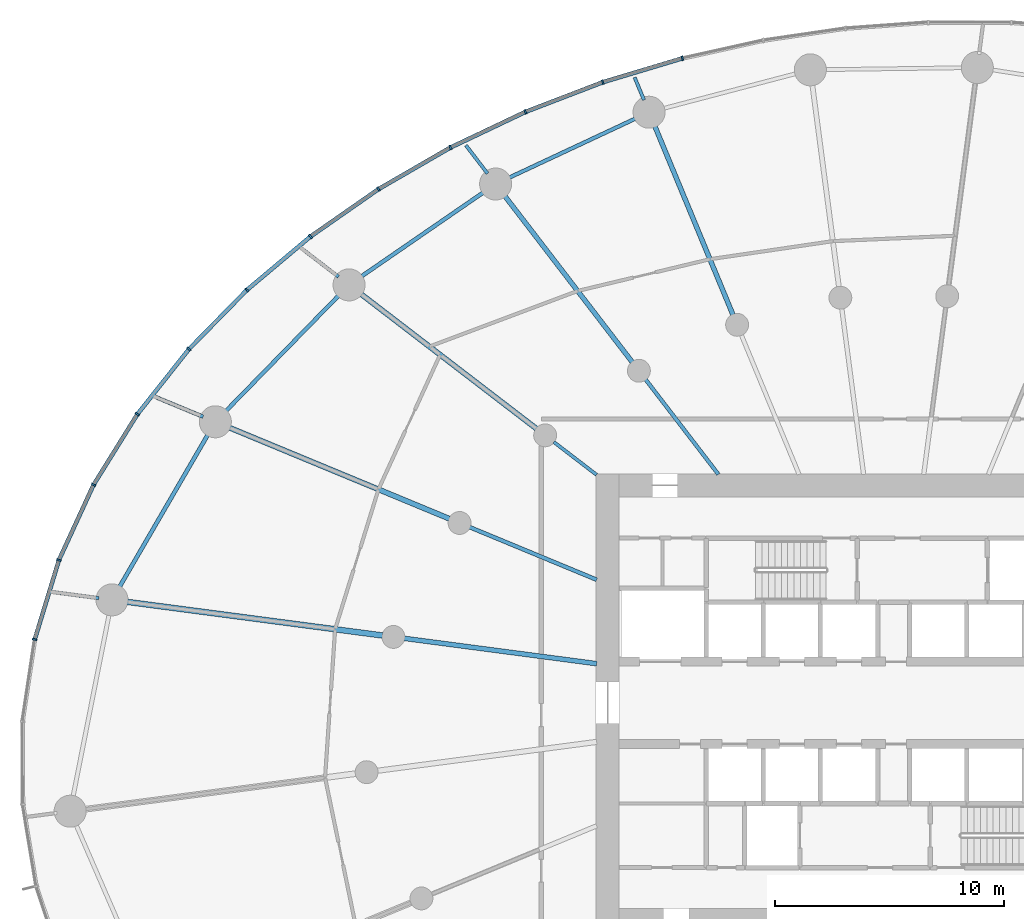
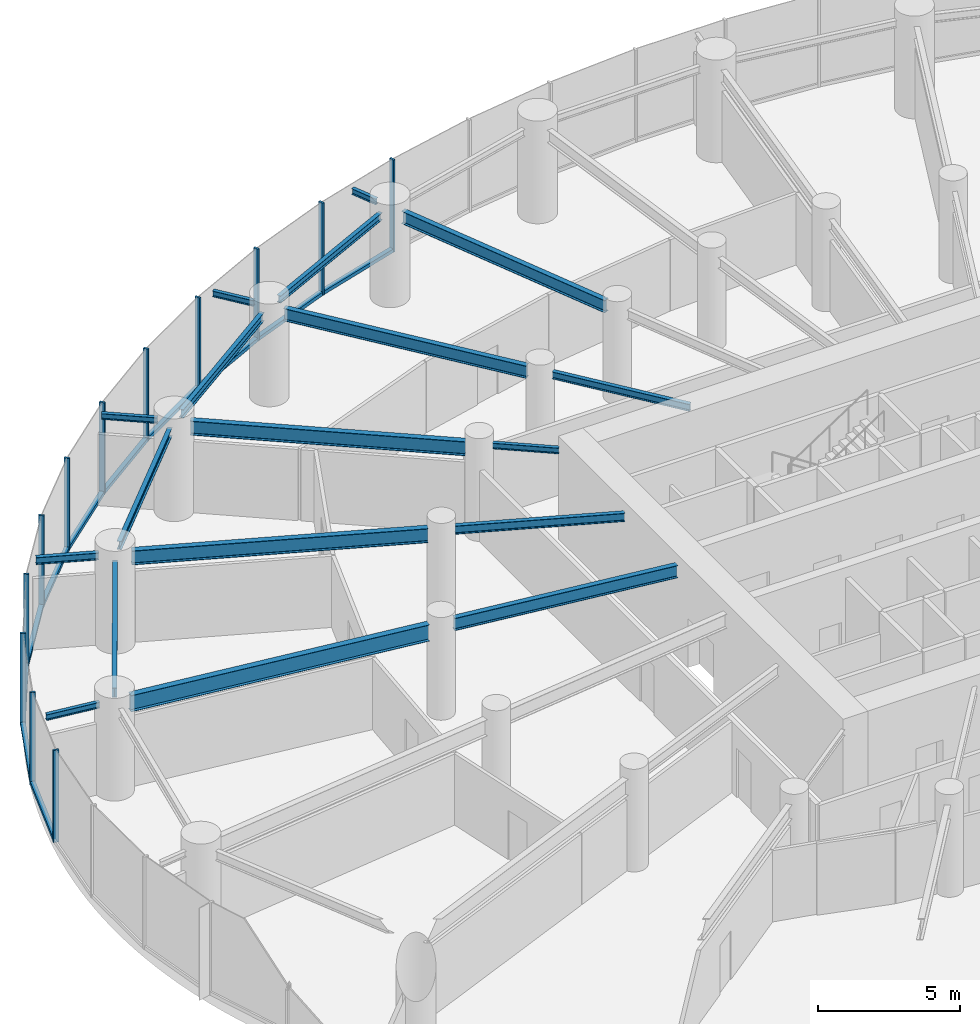
# One storey, part 6 of 19: 23 members, 18 beams, 3 elements without a shape of their own.
"""IFC4 building model written with IfcOpenShell, lengths in metres."""

from ifc_helpers import new_model, si_unit, direction, frame, origin, origin_2d, place, context, subcontext, project, spatial, rectangle, i_section, extrude, source, transform, mapped, material, layer, layer_set, material_profile, profile_set, type_object, element, aggregate, save


model = new_model("IFC4")

# Units and contexts
model_context = context("Model", 3, precision=1e-05, world=origin(), true_north=direction((0.0, 1.0)))
body_context = subcontext(model_context, "Body", "Model", "MODEL_VIEW")
ifc_project = project(units=[si_unit("LENGTHUNIT", "METRE"), si_unit("AREAUNIT", "SQUARE_METRE"), si_unit("VOLUMEUNIT", "CUBIC_METRE"), si_unit("PLANEANGLEUNIT", "RADIAN"), si_unit("MASSUNIT", "GRAM", prefix="KILO")], contexts=[model_context])

# Site, building, storey
site_placement = place(None, origin())
site = spatial("IfcSite", under=ifc_project, at=site_placement, CompositionType="ELEMENT")
building_placement = place(site_placement, origin())
building = spatial("IfcBuilding", under=site, at=building_placement, Name="Spindrift Exchange Tower", CompositionType="ELEMENT")
storey_placement = place(building_placement, frame((0.0, 0.0, 44.60009765625)))
storey = spatial("IfcBuildingStorey", under=building, at=storey_placement, Name="L10", CompositionType="ELEMENT", Elevation=44.60009765625)

# Beams
ifc_material_1 = material(Name="Steel Grade 300", Category="steel")
ifc_material_profile_1 = material_profile(ifc_material_1, i_section(OverallWidth=0.208984375, OverallDepth=0.532958984375, WebThickness=0.01025390625, FlangeThickness=0.015625, FilletRadius=0.013916015625, at=origin_2d()), Name="530UB92.4")
ifc_profile_set_1 = profile_set([ifc_material_profile_1], Name="Steel Grade 300")
beam_type_1 = type_object("IfcBeamType", Name="Floor Beam 530UB92.4 Steel Grade 300", PredefinedType="BEAM", material=ifc_profile_set_1)
shared_shape_1 = source(origin(), body_context, "Body", "SweptSolid", [
    extrude(i_section(OverallWidth=0.208984375, OverallDepth=0.532958984375, WebThickness=0.01025390625, FlangeThickness=0.015625, FilletRadius=0.013916015625, at=origin_2d()), origin(), (0.0, 0.0, 1.0), 8.99658203125),
])
beam_1_placement = place(storey_placement, frame((44.974609375, 64.9609375, 3.683349609375), z_axis=(-0.382685731718, 0.923878580085, 0.0), x_axis=(-0.923878580085, -0.382685731718, 0.0)))
element("IfcBeam", 1, at=beam_1_placement, inside=storey, type_object=beam_type_1, Name="L10 radial beam R08B", PredefinedType="BEAM", context=body_context, shape_type="MappedRepresentation", body=[
    mapped(shared_shape_1, transform((0.0, 0.0, 0.0), scale=1.0)),
])
ifc_material_profile_2 = material_profile(ifc_material_1, i_section(OverallWidth=0.1650390625, OverallDepth=0.303955078125, WebThickness=0.006103515625, FlangeThickness=0.01025390625, FilletRadius=0.011474609375, at=origin_2d()), Name="310UB40.4")
ifc_profile_set_2 = profile_set([ifc_material_profile_2], Name="Steel Grade 300")
beam_type_2 = type_object("IfcBeamType", Name="Floor Beam 310UB40.4 Steel Grade 300", PredefinedType="BEAM", material=ifc_profile_set_2)
shared_shape_2 = source(origin(), body_context, "Body", "SweptSolid", [
    extrude(i_section(OverallWidth=0.1650390625, OverallDepth=0.303955078125, WebThickness=0.006103515625, FlangeThickness=0.01025390625, FilletRadius=0.011474609375, at=origin_2d()), origin(), (0.0, 0.0, 1.0), 5.224609375),
])
beam_2_placement = place(storey_placement, frame((44.3388671875, 57.984130859375, 3.7978515625), z_axis=(-0.608741499316, 0.793368632485, 0.0), x_axis=(-0.793368632485, -0.608741499316, 0.0)))
element("IfcBeam", 2, at=beam_2_placement, inside=storey, type_object=beam_type_2, Name="L10 radial beam R09A", PredefinedType="BEAM", context=body_context, shape_type="MappedRepresentation", body=[
    mapped(shared_shape_2, transform((0.0, 0.0, 0.0), scale=1.0)),
])
shared_shape_3 = source(origin(), body_context, "Body", "SweptSolid", [
    extrude(i_section(OverallWidth=0.208984375, OverallDepth=0.532958984375, WebThickness=0.01025390625, FlangeThickness=0.015625, FilletRadius=0.013916015625, at=origin_2d()), origin(), (0.0, 0.0, 1.0), 9.227783203125),
])
beam_3_placement = place(storey_placement, frame((40.573974609375, 62.890625, 3.683349609375), z_axis=(-0.608747534474, 0.79336400175, 0.0), x_axis=(-0.79336400175, -0.608747534474, 0.0)))
element("IfcBeam", 3, at=beam_3_placement, inside=storey, type_object=beam_type_1, Name="L10 radial beam R09B", PredefinedType="BEAM", context=body_context, shape_type="MappedRepresentation", body=[
    mapped(shared_shape_3, transform((0.0, 0.0, 0.0), scale=1.0)),
])
ifc_material_profile_3 = material_profile(ifc_material_1, i_section(OverallWidth=0.14599609375, OverallDepth=0.251953125, WebThickness=0.006103515625, FlangeThickness=0.008544921875, FilletRadius=0.011962890625, at=origin_2d()), Name="250UB31.4")
ifc_profile_set_3 = profile_set([ifc_material_profile_3], Name="Steel Grade 300")
beam_type_3 = type_object("IfcBeamType", Name="Floor Beam 250UB31.4 Steel Grade 300", PredefinedType="BEAM", material=ifc_profile_set_3)
shared_shape_4 = source(origin(), body_context, "Body", "SweptSolid", [
    extrude(i_section(OverallWidth=0.14599609375, OverallDepth=0.251953125, WebThickness=0.006103515625, FlangeThickness=0.008544921875, FilletRadius=0.011962890625, at=origin_2d()), origin(), (0.0, 0.0, 1.0), 2.353759765625),
])
beam_4_placement = place(storey_placement, frame((39.015869140625, 57.963134765625, 3.823974609375), z_axis=(-0.793367573265, 0.608742879787, 0.0), x_axis=(-0.608742879787, -0.793367573265, 0.0)))
element("IfcBeam", 4, at=beam_4_placement, inside=storey, type_object=beam_type_3, Name="L10 radial beam R10A", PredefinedType="BEAM", context=body_context, shape_type="MappedRepresentation", body=[
    mapped(shared_shape_4, transform((0.0, 0.0, 0.0), scale=1.0)),
])
ifc_material_profile_4 = material_profile(ifc_material_1, i_section(OverallWidth=0.22802734375, OverallDepth=0.60693359375, WebThickness=0.01123046875, FlangeThickness=0.017333984375, FilletRadius=0.013916015625, at=origin_2d()), Name="610UB113")
ifc_profile_set_4 = profile_set([ifc_material_profile_4], Name="Steel Grade 300")
beam_type_4 = type_object("IfcBeamType", Name="Floor Beam 610UB113 Steel Grade 300", PredefinedType="BEAM", material=ifc_profile_set_4)
shared_shape_5 = source(origin(), body_context, "Body", "SweptSolid", [
    extrude(i_section(OverallWidth=0.22802734375, OverallDepth=0.60693359375, WebThickness=0.01123046875, FlangeThickness=0.017333984375, FilletRadius=0.013916015625, at=origin_2d()), origin(), (0.0, 0.0, 1.0), 9.73974609375),
])
beam_5_placement = place(storey_placement, frame((36.38671875, 59.98046875, 3.646484375), z_axis=(-0.793352119621, 0.608763019814, 0.0), x_axis=(-0.608763019814, -0.793352119621, 0.0)))
element("IfcBeam", 5, at=beam_5_placement, inside=storey, type_object=beam_type_4, Name="L10 radial beam R10B", PredefinedType="BEAM", context=body_context, shape_type="MappedRepresentation", body=[
    mapped(shared_shape_5, transform((0.0, 0.0, 0.0), scale=1.0)),
])
ifc_material_profile_5 = material_profile(ifc_material_1, i_section(OverallWidth=0.172119140625, OverallDepth=0.35888671875, WebThickness=0.008056640625, FlangeThickness=0.012939453125, FilletRadius=0.013916015625, at=origin_2d()), Name="360UB56.7")
ifc_profile_set_5 = profile_set([ifc_material_profile_5], Name="Steel Grade 300")
beam_type_5 = type_object("IfcBeamType", Name="Floor Beam 360UB56.7 Steel Grade 300", PredefinedType="BEAM", material=ifc_profile_set_5)
shared_shape_6 = source(origin(), body_context, "Body", "SweptSolid", [
    extrude(i_section(OverallWidth=0.172119140625, OverallDepth=0.35888671875, WebThickness=0.008056640625, FlangeThickness=0.012939453125, FilletRadius=0.013916015625, at=origin_2d()), origin(), (0.0, 0.0, 1.0), 6.004638671875),
])
beam_6_placement = place(storey_placement, frame((39.0185546875, 53.377197265625, 3.7705078125), z_axis=(-0.923882044911, 0.38267736684, 0.0), x_axis=(-0.38267736684, -0.923882044911, 0.0)))
element("IfcBeam", 6, at=beam_6_placement, inside=storey, type_object=beam_type_5, Name="L10 radial beam R11A", PredefinedType="BEAM", context=body_context, shape_type="MappedRepresentation", body=[
    mapped(shared_shape_6, transform((0.0, 0.0, 0.0), scale=1.0)),
])
shared_shape_7 = source(origin(), body_context, "Body", "SweptSolid", [
    extrude(i_section(OverallWidth=0.22802734375, OverallDepth=0.60693359375, WebThickness=0.01123046875, FlangeThickness=0.017333984375, FilletRadius=0.013916015625, at=origin_2d()), origin(), (0.0, 0.0, 1.0), 10.4912109375),
])
beam_7_placement = place(storey_placement, frame((32.583984375, 56.04248046875, 3.646484375), z_axis=(-0.923885231151, 0.382669674342, 0.0), x_axis=(-0.382669674342, -0.923885231151, 0.0)))
element("IfcBeam", 7, at=beam_7_placement, inside=storey, type_object=beam_type_4, Name="L10 radial beam R11B", PredefinedType="BEAM", context=body_context, shape_type="MappedRepresentation", body=[
    mapped(shared_shape_7, transform((0.0, 0.0, 0.0), scale=1.0)),
])
shared_shape_8 = source(origin(), body_context, "Body", "SweptSolid", [
    extrude(i_section(OverallWidth=0.208984375, OverallDepth=0.532958984375, WebThickness=0.01025390625, FlangeThickness=0.015625, FilletRadius=0.013916015625, at=origin_2d()), origin(), (0.0, 0.0, 1.0), 8.4794921875),
])
beam_8_placement = place(storey_placement, frame((39.019775390625, 49.708984375, 3.683349609375), z_axis=(-0.991446551951, 0.13051335037, 0.0), x_axis=(-0.13051335037, -0.991446551951, 0.0)))
element("IfcBeam", 8, at=beam_8_placement, inside=storey, type_object=beam_type_1, Name="L10 radial beam R12A", PredefinedType="BEAM", context=body_context, shape_type="MappedRepresentation", body=[
    mapped(shared_shape_8, transform((0.0, 0.0, 0.0), scale=1.0)),
])
ifc_material_profile_6 = material_profile(ifc_material_1, i_section(OverallWidth=0.25, OverallDepth=0.699951171875, WebThickness=0.008056640625, FlangeThickness=0.011962890625, at=origin_2d()), Name="700WB115")
ifc_profile_set_6 = profile_set([ifc_material_profile_6], Name="Steel Grade 300")
beam_type_6 = type_object("IfcBeamType", Name="Floor Beam 700WB115 Steel Grade 300", PredefinedType="BEAM", material=ifc_profile_set_6)
shared_shape_9 = source(origin(), body_context, "Body", "SweptSolid", [
    extrude(i_section(OverallWidth=0.25, OverallDepth=0.699951171875, WebThickness=0.008056640625, FlangeThickness=0.011962890625, at=origin_2d()), origin(), (0.0, 0.0, 1.0), 11.34423828125),
])
beam_9_placement = place(storey_placement, frame((29.660888671875, 50.94091796875, 3.599853515625), z_axis=(-0.991444770187, 0.130526884848, 0.0), x_axis=(-0.130526884848, -0.991444770187, 0.0)))
element("IfcBeam", 9, at=beam_9_placement, inside=storey, type_object=beam_type_6, Name="L10 radial beam R12B", PredefinedType="BEAM", context=body_context, shape_type="MappedRepresentation", body=[
    mapped(shared_shape_9, transform((0.0, 0.0, 0.0), scale=1.0)),
])
ifc_material_profile_7 = material_profile(ifc_material_1, i_section(OverallWidth=0.1650390625, OverallDepth=0.303955078125, WebThickness=0.006103515625, FlangeThickness=0.01025390625, FilletRadius=0.011474609375, at=origin_2d()), Name="310UB40.4")
ifc_profile_set_7 = profile_set([ifc_material_profile_7], Name="Steel Grade 300")
beam_type_7 = type_object("IfcBeamType", Name="Edge Beam 310UB40.4 Steel Grade 300", PredefinedType="SPANDREL", material=ifc_profile_set_7)
shared_shape_10 = source(origin(), body_context, "Body", "SweptSolid", [
    extrude(i_section(OverallWidth=0.1650390625, OverallDepth=0.303955078125, WebThickness=0.006103515625, FlangeThickness=0.01025390625, FilletRadius=0.011474609375, at=origin_2d()), origin(), (0.0, 0.0, 1.0), 6.243408203125),
])
beam_10_placement = place(storey_placement, frame((40.7841796875, 73.56298828125, 3.7978515625), z_axis=(-0.905791146607, -0.423724437257, 0.0), x_axis=(0.423724437257, -0.905791146607, 0.0)))
element("IfcBeam", 10, at=beam_10_placement, inside=storey, type_object=beam_type_7, Name="L10 edge beam E08", PredefinedType="SPANDREL", context=body_context, shape_type="MappedRepresentation", body=[
    mapped(shared_shape_10, transform((0.0, 0.0, 0.0), scale=1.0)),
])
ifc_material_profile_8 = material_profile(ifc_material_1, i_section(OverallWidth=0.172119140625, OverallDepth=0.35888671875, WebThickness=0.008056640625, FlangeThickness=0.012939453125, FilletRadius=0.013916015625, at=origin_2d()), Name="360UB56.7")
ifc_profile_set_8 = profile_set([ifc_material_profile_8], Name="Steel Grade 300")
beam_type_8 = type_object("IfcBeamType", Name="Edge Beam 360UB56.7 Steel Grade 300", PredefinedType="SPANDREL", material=ifc_profile_set_8)
shared_shape_11 = source(origin(), body_context, "Body", "SweptSolid", [
    extrude(i_section(OverallWidth=0.172119140625, OverallDepth=0.35888671875, WebThickness=0.008056640625, FlangeThickness=0.012939453125, FilletRadius=0.013916015625, at=origin_2d()), origin(), (0.0, 0.0, 1.0), 6.614990234375),
])
beam_11_placement = place(storey_placement, frame((34.125732421875, 70.3427734375, 3.7705078125), z_axis=(-0.823690708835, -0.567039342708, 0.0), x_axis=(0.567039342708, -0.823690708835, 0.0)))
element("IfcBeam", 11, at=beam_11_placement, inside=storey, type_object=beam_type_8, Name="L10 edge beam E09", PredefinedType="SPANDREL", context=body_context, shape_type="MappedRepresentation", body=[
    mapped(shared_shape_11, transform((0.0, 0.0, 0.0), scale=1.0)),
])
shared_shape_12 = source(origin(), body_context, "Body", "SweptSolid", [
    extrude(i_section(OverallWidth=0.172119140625, OverallDepth=0.35888671875, WebThickness=0.008056640625, FlangeThickness=0.012939453125, FilletRadius=0.013916015625, at=origin_2d()), origin(), (0.0, 0.0, 1.0), 7.2041015625),
])
beam_12_placement = place(storey_placement, frame((27.794189453125, 65.847900390625, 3.7705078125), z_axis=(-0.698703626006, -0.715411240481, 0.0), x_axis=(0.715411240481, -0.698703626006, 0.0)))
element("IfcBeam", 12, at=beam_12_placement, inside=storey, type_object=beam_type_8, Name="L10 edge beam E10", PredefinedType="SPANDREL", context=body_context, shape_type="MappedRepresentation", body=[
    mapped(shared_shape_12, transform((0.0, 0.0, 0.0), scale=1.0)),
])
ifc_material_profile_9 = material_profile(ifc_material_1, i_section(OverallWidth=0.177978515625, OverallDepth=0.406005859375, WebThickness=0.0078125, FlangeThickness=0.0126953125, FilletRadius=0.013916015625, at=origin_2d()), Name="410UB59.7")
ifc_profile_set_9 = profile_set([ifc_material_profile_9], Name="Steel Grade 300")
beam_type_9 = type_object("IfcBeamType", Name="Edge Beam 410UB59.7 Steel Grade 300", PredefinedType="SPANDREL", material=ifc_profile_set_9)
shared_shape_13 = source(origin(), body_context, "Body", "SweptSolid", [
    extrude(i_section(OverallWidth=0.177978515625, OverallDepth=0.406005859375, WebThickness=0.0078125, FlangeThickness=0.0126953125, FilletRadius=0.013916015625, at=origin_2d()), origin(), (0.0, 0.0, 1.0), 7.837646484375),
])
beam_13_placement = place(storey_placement, frame((22.064208984375, 59.777587890625, 3.746826171875), z_axis=(-0.50198145655, -0.864878382942, 0.0), x_axis=(0.864878382942, -0.50198145655, 0.0)))
element("IfcBeam", 13, at=beam_13_placement, inside=storey, type_object=beam_type_9, Name="L10 edge beam E11", PredefinedType="SPANDREL", context=body_context, shape_type="MappedRepresentation", body=[
    mapped(shared_shape_13, transform((0.0, 0.0, 0.0), scale=1.0)),
])
ifc_material_profile_10 = material_profile(ifc_material_1, i_section(OverallWidth=0.14599609375, OverallDepth=0.251953125, WebThickness=0.006103515625, FlangeThickness=0.008544921875, FilletRadius=0.011962890625, at=origin_2d()), Name="250UB31.4")
ifc_profile_set_10 = profile_set([ifc_material_profile_10], Name="Steel Grade 300")
beam_type_10 = type_object("IfcBeamType", Name="Cantilever Beam 250UB31.4 Steel Grade 300", PredefinedType="BEAM", material=ifc_profile_set_10)
shared_shape_14 = source(origin(), body_context, "Body", "SweptSolid", [
    extrude(i_section(OverallWidth=0.14599609375, OverallDepth=0.251953125, WebThickness=0.006103515625, FlangeThickness=0.008544921875, FilletRadius=0.011962890625, at=origin_2d()), origin(), (0.0, 0.0, 1.0), 1.0703125),
])
beam_14_placement = place(storey_placement, frame((41.087890625, 74.344482421875, 3.823974609375), z_axis=(-0.382768141022, 0.923844440487, 0.0), x_axis=(-0.923844440487, -0.382768141022, 0.0)))
element("IfcBeam", 14, at=beam_14_placement, inside=storey, type_object=beam_type_10, Name="L10 cantilever beam R08T", PredefinedType="BEAM", context=body_context, shape_type="MappedRepresentation", body=[
    mapped(shared_shape_14, transform((0.0, 0.0, 0.0), scale=1.0)),
])
shared_shape_15 = source(origin(), body_context, "Body", "SweptSolid", [
    extrude(i_section(OverallWidth=0.14599609375, OverallDepth=0.251953125, WebThickness=0.006103515625, FlangeThickness=0.008544921875, FilletRadius=0.011962890625, at=origin_2d()), origin(), (0.0, 0.0, 1.0), 1.551025390625),
])
beam_15_placement = place(storey_placement, frame((34.250244140625, 71.1318359375, 3.823974609375), z_axis=(-0.608728928553, 0.79337827771, 0.0), x_axis=(-0.79337827771, -0.608728928553, 0.0)))
element("IfcBeam", 15, at=beam_15_placement, inside=storey, type_object=beam_type_10, Name="L10 cantilever beam R09T", PredefinedType="BEAM", context=body_context, shape_type="MappedRepresentation", body=[
    mapped(shared_shape_15, transform((0.0, 0.0, 0.0), scale=1.0)),
])
shared_shape_16 = source(origin(), body_context, "Body", "SweptSolid", [
    extrude(i_section(OverallWidth=0.14599609375, OverallDepth=0.251953125, WebThickness=0.006103515625, FlangeThickness=0.008544921875, FilletRadius=0.011962890625, at=origin_2d()), origin(), (0.0, 0.0, 1.0), 1.985107421875),
])
beam_16_placement = place(storey_placement, frame((27.7392578125, 66.615966796875, 3.823974609375), z_axis=(-0.7933549083, 0.608759385535, 0.0), x_axis=(-0.608759385535, -0.7933549083, 0.0)))
element("IfcBeam", 16, at=beam_16_placement, inside=storey, type_object=beam_type_10, Name="L10 cantilever beam R10T", PredefinedType="BEAM", context=body_context, shape_type="MappedRepresentation", body=[
    mapped(shared_shape_16, transform((0.0, 0.0, 0.0), scale=1.0)),
])
ifc_material_profile_11 = material_profile(ifc_material_1, i_section(OverallWidth=0.1650390625, OverallDepth=0.303955078125, WebThickness=0.006103515625, FlangeThickness=0.01025390625, FilletRadius=0.011474609375, at=origin_2d()), Name="310UB40.4")
ifc_profile_set_11 = profile_set([ifc_material_profile_11], Name="Steel Grade 300")
beam_type_11 = type_object("IfcBeamType", Name="Cantilever Beam 310UB40.4 Steel Grade 300", PredefinedType="BEAM", material=ifc_profile_set_11)
shared_shape_17 = source(origin(), body_context, "Body", "SweptSolid", [
    extrude(i_section(OverallWidth=0.1650390625, OverallDepth=0.303955078125, WebThickness=0.006103515625, FlangeThickness=0.01025390625, FilletRadius=0.011474609375, at=origin_2d()), origin(), (0.0, 0.0, 1.0), 2.22412109375),
])
beam_17_placement = place(storey_placement, frame((21.819580078125, 60.501220703125, 3.7978515625), z_axis=(-0.923896434598, 0.38264262457, 0.0), x_axis=(-0.38264262457, -0.923896434598, 0.0)))
element("IfcBeam", 17, at=beam_17_placement, inside=storey, type_object=beam_type_11, Name="L10 cantilever beam R11T", PredefinedType="BEAM", context=body_context, shape_type="MappedRepresentation", body=[
    mapped(shared_shape_17, transform((0.0, 0.0, 0.0), scale=1.0)),
])
shared_shape_18 = source(origin(), body_context, "Body", "SweptSolid", [
    extrude(i_section(OverallWidth=0.14599609375, OverallDepth=0.251953125, WebThickness=0.006103515625, FlangeThickness=0.008544921875, FilletRadius=0.011962890625, at=origin_2d()), origin(), (0.0, 0.0, 1.0), 2.016845703125),
])
beam_18_placement = place(storey_placement, frame((17.263916015625, 52.572998046875, 3.823974609375), z_axis=(-0.991448526078, 0.130498353005, 0.0), x_axis=(-0.130498353005, -0.991448526078, 0.0)))
element("IfcBeam", 18, at=beam_18_placement, inside=storey, type_object=beam_type_10, Name="L10 cantilever beam R12T", PredefinedType="BEAM", context=body_context, shape_type="MappedRepresentation", body=[
    mapped(shared_shape_18, transform((0.0, 0.0, 0.0), scale=1.0)),
])

# Curtain wall, members
ifc_material_2 = material(Name="Fritted laminated glass with bronze frame", Category="glass")
ifc_layer = layer(ifc_material_2, 0.199951171875)
ifc_layer_set = layer_set([ifc_layer], Name="ZONE 1 BRONZE FRITTED WALL")
curtain_wall_type = type_object("IfcCurtainWallType", Name="ZONE 1 BRONZE FRITTED WALL", PredefinedType="NOTDEFINED", material=ifc_layer_set)
curtain_wall_1_placement = place(storey_placement, origin())
curtain_wall_1 = element("IfcCurtainWall", 19, at=curtain_wall_1_placement, inside=storey, type_object=curtain_wall_type, Name="L10 Zone 1 Bronze Fritted Wall run 3", PredefinedType="NOTDEFINED")
ifc_material_3 = material(Name="Bronze anodised aluminium", Category="aluminium")
ifc_material_profile_12 = material_profile(ifc_material_3, rectangle(XDim=0.080078125, YDim=0.199951171875, at=origin_2d()), Name="ZONE 1 BRONZE FRITTED WALL MULLION 80X200")
ifc_profile_set_12 = profile_set([ifc_material_profile_12], Name="Bronze anodised aluminium")
member_type_1 = type_object("IfcMemberType", Name="ZONE 1 BRONZE FRITTED WALL MULLION 80X200", PredefinedType="MULLION", material=ifc_profile_set_12)
shared_shape_19 = source(origin(), body_context, "Body", "SweptSolid", [
    extrude(rectangle(XDim=0.080078125, YDim=0.199951171875, at=origin_2d()), origin(), (0.0, 0.0, 1.0), 3.949951171875),
])
member_1_placement = place(storey_placement, frame((42.765380859375, 76.16650390625, 0.0), z_axis=(0.0, 0.0, 1.0), x_axis=(-0.967707686411, -0.252075055611, 0.0)))
member_1 = element("IfcMember", 20, at=member_1_placement, type_object=member_type_1, Name="L10 mullion CW-1.17", PredefinedType="MULLION", context=body_context, shape_type="MappedRepresentation", body=[
    mapped(shared_shape_19, transform((0.0, 0.0, 0.0), scale=1.0)),
])
member_2_placement = place(storey_placement, frame((39.291015625, 75.123779296875, 0.0), z_axis=(0.0, 0.0, 1.0), x_axis=(-0.946362936676, -0.323105543261, 0.0)))
member_2 = element("IfcMember", 21, at=member_2_placement, type_object=member_type_1, Name="L10 mullion CW-1.18", PredefinedType="MULLION", context=body_context, shape_type="MappedRepresentation", body=[
    mapped(shared_shape_19, transform((0.0, 0.0, 0.0), scale=1.0)),
])

curtain_wall_2_placement = place(storey_placement, origin())
curtain_wall_2 = element("IfcCurtainWall", 22, at=curtain_wall_2_placement, inside=storey, type_object=curtain_wall_type, Name="L10 Zone 1 Bronze Fritted Wall run 4", PredefinedType="NOTDEFINED")
member_3_placement = place(storey_placement, frame((35.904541015625, 73.823974609375, 0.0), z_axis=(0.0, 0.0, 1.0), x_axis=(-0.919087174323, -0.394054267829, 0.0)))
member_3 = element("IfcMember", 23, at=member_3_placement, type_object=member_type_1, Name="L10 mullion CW-1.19", PredefinedType="MULLION", context=body_context, shape_type="MappedRepresentation", body=[
    mapped(shared_shape_19, transform((0.0, 0.0, 0.0), scale=1.0)),
])
member_4_placement = place(storey_placement, frame((32.62841796875, 72.26708984375, 0.0), z_axis=(0.0, 0.0, 1.0), x_axis=(-0.885211059092, -0.465189618179, 0.0)))
member_4 = element("IfcMember", 24, at=member_4_placement, type_object=member_type_1, Name="L10 mullion CW-1.20", PredefinedType="MULLION", context=body_context, shape_type="MappedRepresentation", body=[
    mapped(shared_shape_19, transform((0.0, 0.0, 0.0), scale=1.0)),
])
member_5_placement = place(storey_placement, frame((29.488037109375, 70.451904296875, 0.0), z_axis=(0.0, 0.0, 1.0), x_axis=(-0.843821629879, -0.536623757346, 0.0)))
member_5 = element("IfcMember", 25, at=member_5_placement, type_object=member_type_1, Name="L10 mullion CW-1.21", PredefinedType="MULLION", context=body_context, shape_type="MappedRepresentation", body=[
    mapped(shared_shape_19, transform((0.0, 0.0, 0.0), scale=1.0)),
])
member_6_placement = place(storey_placement, frame((26.5126953125, 68.377685546875, 0.0), z_axis=(0.0, 0.0, 1.0), x_axis=(-0.793738591104, -0.608259031163, 0.0)))
member_6 = element("IfcMember", 26, at=member_6_placement, type_object=member_type_1, Name="L10 mullion CW-1.22", PredefinedType="MULLION", context=body_context, shape_type="MappedRepresentation", body=[
    mapped(shared_shape_19, transform((0.0, 0.0, 0.0), scale=1.0)),
])
member_7_placement = place(storey_placement, frame((23.736083984375, 66.044189453125, 0.0), z_axis=(0.0, 0.0, 1.0), x_axis=(-0.733474727986, -0.679716722911, 0.0)))
member_7 = element("IfcMember", 27, at=member_7_placement, type_object=member_type_1, Name="L10 mullion CW-1.23", PredefinedType="MULLION", context=body_context, shape_type="MappedRepresentation", body=[
    mapped(shared_shape_19, transform((0.0, 0.0, 0.0), scale=1.0)),
])
member_8_placement = place(storey_placement, frame((21.198486328125, 63.453125, 0.0), z_axis=(0.0, 0.0, 1.0), x_axis=(-0.661302008539, -0.75011975944, 0.0)))
member_8 = element("IfcMember", 28, at=member_8_placement, type_object=member_type_1, Name="L10 mullion CW-1.24", PredefinedType="MULLION", context=body_context, shape_type="MappedRepresentation", body=[
    mapped(shared_shape_19, transform((0.0, 0.0, 0.0), scale=1.0)),
])

curtain_wall_3_placement = place(storey_placement, origin())
curtain_wall_3 = element("IfcCurtainWall", 29, at=curtain_wall_3_placement, inside=storey, type_object=curtain_wall_type, Name="L10 Zone 1 Bronze Fritted Wall run 5", PredefinedType="NOTDEFINED")
member_9_placement = place(storey_placement, frame((18.9462890625, 60.611083984375, 0.0), z_axis=(0.0, 0.0, 1.0), x_axis=(-0.575320498731, -0.817928067583, 0.0)))
member_9 = element("IfcMember", 30, at=member_9_placement, type_object=member_type_1, Name="L10 mullion CW-1.25", PredefinedType="MULLION", context=body_context, shape_type="MappedRepresentation", body=[
    mapped(shared_shape_19, transform((0.0, 0.0, 0.0), scale=1.0)),
])
member_10_placement = place(storey_placement, frame((17.03271484375, 57.531005859375, 0.0), z_axis=(0.0, 0.0, 1.0), x_axis=(-0.473732609561, -0.880668731498, 0.0)))
member_10 = element("IfcMember", 31, at=member_10_placement, type_object=member_type_1, Name="L10 mullion CW-1.26", PredefinedType="MULLION", context=body_context, shape_type="MappedRepresentation", body=[
    mapped(shared_shape_19, transform((0.0, 0.0, 0.0), scale=1.0)),
])
member_11_placement = place(storey_placement, frame((15.517578125, 54.237060546875, 0.0), z_axis=(0.0, 0.0, 1.0), x_axis=(-0.355433372721, -0.934701619532, 0.0)))
member_11 = element("IfcMember", 32, at=member_11_placement, type_object=member_type_1, Name="L10 mullion CW-1.27", PredefinedType="MULLION", context=body_context, shape_type="MappedRepresentation", body=[
    mapped(shared_shape_19, transform((0.0, 0.0, 0.0), scale=1.0)),
])
member_12_placement = place(storey_placement, frame((14.46142578125, 50.76904296875, 0.0), z_axis=(0.0, 0.0, 1.0), x_axis=(-0.220776018113, -0.975324535642, 0.0)))
member_12 = element("IfcMember", 33, at=member_12_placement, type_object=member_type_1, Name="L10 mullion CW-1.28", PredefinedType="MULLION", context=body_context, shape_type="MappedRepresentation", body=[
    mapped(shared_shape_19, transform((0.0, 0.0, 0.0), scale=1.0)),
])
ifc_material_profile_13 = material_profile(ifc_material_3, rectangle(XDim=0.179931640625, YDim=0.14990234375, at=origin_2d()), Name="ZONE 1 BRONZE FRITTED WALL TRANSOM 180X150")
ifc_profile_set_13 = profile_set([ifc_material_profile_13], Name="Bronze anodised aluminium")
member_type_2 = type_object("IfcMemberType", Name="ZONE 1 BRONZE FRITTED WALL TRANSOM 180X150", PredefinedType="USERDEFINED", material=ifc_profile_set_13)
shared_shape_20 = source(origin(), body_context, "Body", "SweptSolid", [
    extrude(rectangle(XDim=0.179931640625, YDim=0.14990234375, at=origin_2d()), origin(), (0.0, 0.0, 1.0), 3.545654296875),
])
member_13_placement = place(storey_placement, frame((17.01611328125, 57.49462890625, 0.074951171875), z_axis=(-0.417948798308, -0.908470584, 0.0), x_axis=(0.908470584, -0.417948798308, 0.0)))
member_13 = element("IfcMember", 34, at=member_13_placement, type_object=member_type_2, Name="L10 transom CW-1.26", ObjectType="TRANSOM", PredefinedType="USERDEFINED", context=body_context, shape_type="MappedRepresentation", body=[
    mapped(shared_shape_20, transform((0.0, 0.0, 0.0), scale=1.0)),
])

# Member
shared_shape_21 = source(origin(), body_context, "Body", "SweptSolid", [
    extrude(rectangle(XDim=0.179931640625, YDim=0.14990234375, at=origin_2d()), origin(), (0.0, 0.0, 1.0), 3.54736328125),
])
member_14_placement = place(storey_placement, frame((42.72705078125, 76.15478515625, 0.074951171875), z_axis=(-0.957809235644, -0.287404711364, 0.0), x_axis=(0.287404711364, -0.957809235644, 0.0)))
member_14 = element("IfcMember", 35, at=member_14_placement, type_object=member_type_2, Name="L10 transom CW-1.17", ObjectType="TRANSOM", PredefinedType="USERDEFINED", context=body_context, shape_type="MappedRepresentation", body=[
    mapped(shared_shape_21, transform((0.0, 0.0, 0.0), scale=1.0)),
])

member_15_placement = place(storey_placement, frame((39.253662109375, 75.109375, 0.074951171875), z_axis=(-0.933606113088, -0.358301026519, 0.0), x_axis=(0.358301026519, -0.933606113088, 0.0)))
member_15 = element("IfcMember", 36, at=member_15_placement, type_object=member_type_2, Name="L10 transom CW-1.18", ObjectType="TRANSOM", PredefinedType="USERDEFINED", context=body_context, shape_type="MappedRepresentation", body=[
    mapped(shared_shape_21, transform((0.0, 0.0, 0.0), scale=1.0)),
])

aggregate(curtain_wall_1, [member_1, member_14, member_2, member_15])

member_16_placement = place(storey_placement, frame((35.868408203125, 73.806884765625, 0.074951171875), z_axis=(-0.903182124679, -0.429257556323, 0.0), x_axis=(0.429257556323, -0.903182124679, 0.0)))
member_16 = element("IfcMember", 37, at=member_16_placement, type_object=member_type_2, Name="L10 transom CW-1.19", ObjectType="TRANSOM", PredefinedType="USERDEFINED", context=body_context, shape_type="MappedRepresentation", body=[
    mapped(shared_shape_21, transform((0.0, 0.0, 0.0), scale=1.0)),
])

shared_shape_22 = source(origin(), body_context, "Body", "SweptSolid", [
    extrude(rectangle(XDim=0.179931640625, YDim=0.14990234375, at=origin_2d()), origin(), (0.0, 0.0, 1.0), 3.547119140625),
])
member_17_placement = place(storey_placement, frame((32.59375, 72.2470703125, 0.074951171875), z_axis=(-0.865771641321, -0.500439272124, 0.0), x_axis=(0.500439272124, -0.865771641321, 0.0)))
member_17 = element("IfcMember", 38, at=member_17_placement, type_object=member_type_2, Name="L10 transom CW-1.20", ObjectType="TRANSOM", PredefinedType="USERDEFINED", context=body_context, shape_type="MappedRepresentation", body=[
    mapped(shared_shape_22, transform((0.0, 0.0, 0.0), scale=1.0)),
])

member_18_placement = place(storey_placement, frame((29.455078125, 70.42919921875, 0.074951171875), z_axis=(-0.820316949205, -0.571909173599, 0.0), x_axis=(0.571909173599, -0.820316949205, 0.0)))
member_18 = element("IfcMember", 39, at=member_18_placement, type_object=member_type_2, Name="L10 transom CW-1.21", ObjectType="TRANSOM", PredefinedType="USERDEFINED", context=body_context, shape_type="MappedRepresentation", body=[
    mapped(shared_shape_22, transform((0.0, 0.0, 0.0), scale=1.0)),
])

member_19_placement = place(storey_placement, frame((26.48193359375, 68.35205078125, 0.074951171875), z_axis=(-0.765517715264, -0.643414817685, 0.0), x_axis=(0.643414817685, -0.765517715264, 0.0)))
member_19 = element("IfcMember", 40, at=member_19_placement, type_object=member_type_2, Name="L10 transom CW-1.22", ObjectType="TRANSOM", PredefinedType="USERDEFINED", context=body_context, shape_type="MappedRepresentation", body=[
    mapped(shared_shape_22, transform((0.0, 0.0, 0.0), scale=1.0)),
])

shared_shape_23 = source(origin(), body_context, "Body", "SweptSolid", [
    extrude(rectangle(XDim=0.179931640625, YDim=0.14990234375, at=origin_2d()), origin(), (0.0, 0.0, 1.0), 3.54638671875),
])
member_20_placement = place(storey_placement, frame((21.173583984375, 63.421875, 0.074951171875), z_axis=(-0.621078446608, -0.783748405523, 0.0), x_axis=(0.783748405523, -0.621078446608, 0.0)))
member_20 = element("IfcMember", 41, at=member_20_placement, type_object=member_type_2, Name="L10 transom CW-1.24", ObjectType="TRANSOM", PredefinedType="USERDEFINED", context=body_context, shape_type="MappedRepresentation", body=[
    mapped(shared_shape_23, transform((0.0, 0.0, 0.0), scale=1.0)),
])

shared_shape_24 = source(origin(), body_context, "Body", "SweptSolid", [
    extrude(rectangle(XDim=0.179931640625, YDim=0.14990234375, at=origin_2d()), origin(), (0.0, 0.0, 1.0), 3.545166015625),
])
member_21_placement = place(storey_placement, frame((15.505859375, 54.19873046875, 0.074951171875), z_axis=(-0.291306852414, -0.95662966593, 0.0), x_axis=(0.95662966593, -0.291306852414, 0.0)))
member_21 = element("IfcMember", 42, at=member_21_placement, type_object=member_type_2, Name="L10 transom CW-1.27", ObjectType="TRANSOM", PredefinedType="USERDEFINED", context=body_context, shape_type="MappedRepresentation", body=[
    mapped(shared_shape_24, transform((0.0, 0.0, 0.0), scale=1.0)),
])

shared_shape_25 = source(origin(), body_context, "Body", "SweptSolid", [
    extrude(rectangle(XDim=0.179931640625, YDim=0.14990234375, at=origin_2d()), origin(), (0.0, 0.0, 1.0), 3.546630859375),
])
member_22_placement = place(storey_placement, frame((23.7080078125, 66.015625, 0.074951171875), z_axis=(-0.699667988496, -0.714468127962, 0.0), x_axis=(0.714468127962, -0.699667988496, 0.0)))
member_22 = element("IfcMember", 43, at=member_22_placement, type_object=member_type_2, Name="L10 transom CW-1.23", ObjectType="TRANSOM", PredefinedType="USERDEFINED", context=body_context, shape_type="MappedRepresentation", body=[
    mapped(shared_shape_25, transform((0.0, 0.0, 0.0), scale=1.0)),
])

aggregate(curtain_wall_2, [member_3, member_16, member_4, member_17, member_5, member_18, member_6, member_19, member_7, member_22, member_8, member_20])

shared_shape_26 = source(origin(), body_context, "Body", "SweptSolid", [
    extrude(rectangle(XDim=0.179931640625, YDim=0.14990234375, at=origin_2d()), origin(), (0.0, 0.0, 1.0), 3.5458984375),
])
member_23_placement = place(storey_placement, frame((18.925048828125, 60.576904296875, 0.074951171875), z_axis=(-0.527688470569, -0.849437977741, 0.0), x_axis=(0.849437977741, -0.527688470569, 0.0)))
member_23 = element("IfcMember", 44, at=member_23_placement, type_object=member_type_2, Name="L10 transom CW-1.25", ObjectType="TRANSOM", PredefinedType="USERDEFINED", context=body_context, shape_type="MappedRepresentation", body=[
    mapped(shared_shape_26, transform((0.0, 0.0, 0.0), scale=1.0)),
])

aggregate(curtain_wall_3, [member_9, member_23, member_10, member_13, member_11, member_21, member_12])

save(model, "model.ifc")
